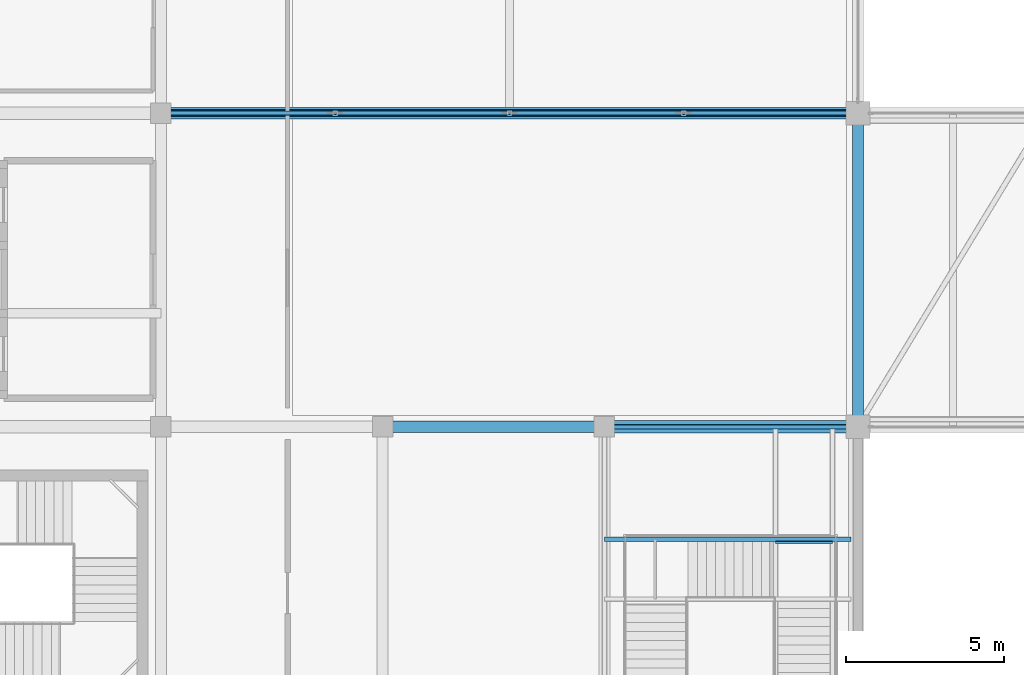
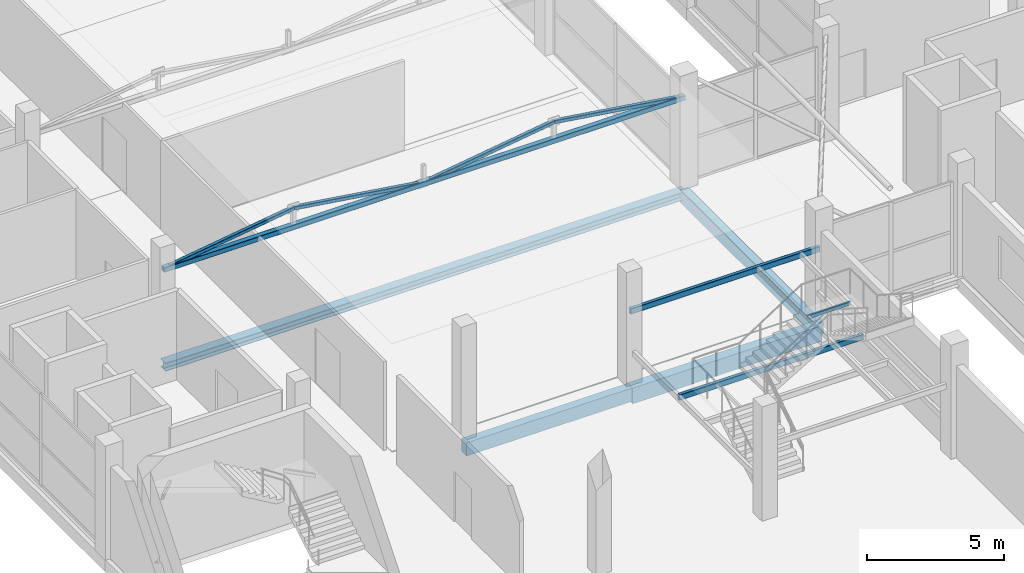
# One storey, part 9 of 67: 7 beams, 5 members.
"""IFC4 building model written with IfcOpenShell, lengths in metres."""

import ifcopenshell
import ifcopenshell.guid

model = None  # the IFC model being written
_history = None  # IfcOwnerHistory: only IFC2X3 demands one
_inside = {}  # id of a spatial element -> (the spatial element, [elements in it])
_under = {}  # id of a project, library or spatial element -> (it, [spatial elements below it])
_declared = {}  # id of a project -> (the project, [libraries it declares])
_typed = {}  # id of a type object -> (the type object, [elements of that type])
_made_of = {}  # id of a material, layer set ... -> (it, [elements and type objects made of it])


def new_model(schema):
    """Start an empty IFC model of exactly this schema.

    Asked for "IFC4X3", IfcOpenShell would pick the latest addendum, in which some entities
    have other attributes; the version numbers below select the first issue.
    IFC2X3 requires an IfcOwnerHistory on every rooted entity: one is made here for all.
    """
    global model, _history
    if schema == "IFC4X3":
        model = ifcopenshell.file(schema_version=(4, 3, 0, 0))
    else:
        model = ifcopenshell.file(schema=schema)
    _inside.clear()
    _under.clear()
    _declared.clear()
    _typed.clear()
    _made_of.clear()
    _history = None
    if model.schema == "IFC2X3":
        org = make("IfcOrganization", Name="unknown")
        user = make(
            "IfcPersonAndOrganization",
            ThePerson=make("IfcPerson", FamilyName="unknown"),
            TheOrganization=org,
        )
        app = make(
            "IfcApplication",
            ApplicationDeveloper=org,
            Version="unknown",
            ApplicationFullName="unknown",
            ApplicationIdentifier="unknown",
        )
        _history = make(
            "IfcOwnerHistory",
            OwningUser=user,
            OwningApplication=app,
            ChangeAction="ADDED",
            CreationDate=0,
        )
    return model


def make(cls, **values):
    """One entity of the class cls with the attributes given. An attribute that is None is left unset."""
    return model.create_entity(
        cls, **{name: value for name, value in values.items() if value is not None}
    )


def rooted(cls, **values):
    """An entity with a GlobalId (a new one), such as an element, a storey or a relation."""
    return make(cls, GlobalId=ifcopenshell.guid.new(), OwnerHistory=_history, **values)


def si_unit(unit_type, name, prefix=None):
    """IfcSIUnit, for example si_unit("LENGTHUNIT", "METRE", prefix="MILLI")."""
    return make("IfcSIUnit", UnitType=unit_type, Prefix=prefix, Name=name)


def assignment(units):
    """IfcUnitAssignment: the units of a project."""
    return None if units is None else make("IfcUnitAssignment", Units=units)


def point(xyz):
    """IfcCartesianPoint."""
    return None if xyz is None else make("IfcCartesianPoint", Coordinates=xyz)


def direction(xyz):
    """IfcDirection."""
    return None if xyz is None else make("IfcDirection", DirectionRatios=xyz)


def frame(location, z_axis=None, x_axis=None):
    """IfcAxis2Placement3D, a coordinate frame: its origin and axes. An axis left out is left unset."""
    return make(
        "IfcAxis2Placement3D",
        Location=point(location),
        Axis=direction(z_axis),
        RefDirection=direction(x_axis),
    )


def frame_2d(location, x_axis=None):
    """IfcAxis2Placement2D, a coordinate frame in the plane: its origin and x axis."""
    return make(
        "IfcAxis2Placement2D", Location=point(location), RefDirection=direction(x_axis)
    )


def origin():
    """The frame at (0, 0, 0) with its axes left unset."""
    return frame((0.0, 0.0, 0.0))


def origin_2d():
    """The frame at (0, 0) in the plane with its x axis left unset."""
    return frame_2d((0.0, 0.0))


def place(relative_to, where):
    """IfcLocalPlacement: puts the frame where relative to a parent placement (None: the world)."""
    return make(
        "IfcLocalPlacement", PlacementRelTo=relative_to, RelativePlacement=where
    )


def context(
    kind, dimensions, precision=None, world=None, true_north=None, identifier=None
):
    """IfcGeometricRepresentationContext, for example the 3D "Model" context."""
    return make(
        "IfcGeometricRepresentationContext",
        ContextIdentifier=identifier,
        ContextType=kind,
        CoordinateSpaceDimension=dimensions,
        Precision=precision,
        WorldCoordinateSystem=world,
        TrueNorth=true_north,
    )


def subcontext(parent, identifier, kind, view, scale=None):
    """IfcGeometricRepresentationSubContext, for example "Body" below "Model"."""
    return make(
        "IfcGeometricRepresentationSubContext",
        ContextIdentifier=identifier,
        ContextType=kind,
        ParentContext=parent,
        TargetScale=scale,
        TargetView=view,
    )


def project(units=None, contexts=None):
    """IfcProject with its units and contexts."""
    return rooted(
        "IfcProject",
        Name="project",
        RepresentationContexts=contexts,
        UnitsInContext=assignment(units),
    )


def spatial(cls, under=None, at=None, **own):
    """A site, building, storey or space (cls), placed at a placement, below another one or the project."""
    s = rooted(cls, ObjectPlacement=at, **own)
    if under is not None:
        _under.setdefault(under.id(), (under, []))[1].append(s)
    return s


def profile(cls, at=None, kind="AREA", **sizes):
    """A parametric profile (cls). Its sizes go by their IFC names, for example OverallWidth=200.0."""
    return make(cls, ProfileType=kind, Position=at, **sizes)


def rectangle(**sizes):
    """IfcRectangleProfileDef."""
    return profile("IfcRectangleProfileDef", **sizes)


def hollow_rectangle(**sizes):
    """IfcRectangleHollowProfileDef."""
    return profile("IfcRectangleHollowProfileDef", **sizes)


def i_section(**sizes):
    """IfcIShapeProfileDef."""
    return profile("IfcIShapeProfileDef", **sizes)


def extrude(swept, where, along, depth):
    """IfcExtrudedAreaSolid: the profile swept, set in the frame where, extruded along a direction by depth."""
    return make(
        "IfcExtrudedAreaSolid",
        SweptArea=swept,
        Position=where,
        ExtrudedDirection=direction(along),
        Depth=depth,
    )


def shape(context_of_items, identifier, shape_type, items):
    """IfcShapeRepresentation: the items that make up one representation, for example the "Body"."""
    return make(
        "IfcShapeRepresentation",
        ContextOfItems=context_of_items,
        RepresentationIdentifier=identifier,
        RepresentationType=shape_type,
        Items=items,
    )


def material(Name=None, Category=None):
    """IfcMaterial."""
    return make("IfcMaterial", Name=Name, Category=Category)


def material_profile(
    of_material, cross_section, Name=None, Category=None, Priority=None
):
    """IfcMaterialProfile: a cross section and its material."""
    return make(
        "IfcMaterialProfile",
        Name=Name,
        Material=of_material,
        Profile=cross_section,
        Priority=Priority,
        Category=Category,
    )


def profile_set(profiles, Name=None, composite=None):
    """IfcMaterialProfileSet."""
    return make(
        "IfcMaterialProfileSet",
        Name=Name,
        MaterialProfiles=profiles,
        CompositeProfile=composite,
    )


def made_of(thing, what):
    """Note that an element or type object is made of a material, layer set ...; save() writes the relation."""
    if what is not None:
        _made_of.setdefault(what.id(), (what, []))[1].append(thing)
    return thing


def type_object(cls, material=None, **own):
    """A type object (cls), such as IfcWallType, which elements share."""
    return made_of(rooted(cls, **own), material)


def element(
    cls,
    number,
    at=None,
    inside=None,
    cuts=None,
    type_object=None,
    material=None,
    context=None,
    identifier="Body",
    shape_type=None,
    held_by="IfcProductDefinitionShape",
    body=None,
    shapes=None,
    **own,
):
    """One element of the class cls, such as IfcWall. Its Tag is "e" and its number.

    at: its placement. inside: the storey or other place that contains it. cuts: it is an
    opening in that element (IfcRelVoidsElement). A single representation is given by context,
    identifier, shape_type and body (its items); several are given by shapes. held_by: the class
    of the entity that holds the representations. save() writes the other relations.
    """
    e = rooted(cls, Tag="e%d" % number, ObjectPlacement=at, **own)
    if body is not None:
        shapes = [shape(context, identifier, shape_type, body)]
    if shapes is not None:
        e.Representation = make(held_by, Representations=shapes)
    if inside is not None:
        _inside.setdefault(inside.id(), (inside, []))[1].append(e)
    if cuts is not None:
        rooted(
            "IfcRelVoidsElement", RelatingBuildingElement=cuts, RelatedOpeningElement=e
        )
    if type_object is not None:
        _typed.setdefault(type_object.id(), (type_object, []))[1].append(e)
    return made_of(e, material)


def aggregate(whole, parts):
    """IfcRelAggregates: a whole, such as a stair, and the parts it consists of."""
    return rooted("IfcRelAggregates", RelatingObject=whole, RelatedObjects=parts)


def save(model, path):
    """Write the relations noted so far, then the file.

    IfcRelAggregates (storeys below a building ...), IfcRelContainedInSpatialStructure (elements
    in a storey), IfcRelDefinesByType, IfcRelAssociatesMaterial and IfcRelDeclares: one each for
    every whole, place, type object, material and project.
    """
    for whole, parts in _under.values():
        aggregate(whole, parts)
    for where, things in _inside.values():
        rooted(
            "IfcRelContainedInSpatialStructure",
            RelatedElements=things,
            RelatingStructure=where,
        )
    for kind, things in _typed.values():
        rooted("IfcRelDefinesByType", RelatedObjects=things, RelatingType=kind)
    for what, things in _made_of.values():
        rooted("IfcRelAssociatesMaterial", RelatedObjects=things, RelatingMaterial=what)
    for by, libraries in _declared.values():
        rooted("IfcRelDeclares", RelatingContext=by, RelatedDefinitions=libraries)
    model.write(path)


model = new_model("IFC4")

# Units and contexts
model_context = context("Model", 3, precision=1e-05, world=origin(), true_north=direction((0.0, 1.0)))
body_context = subcontext(model_context, "Body", "Model", "MODEL_VIEW")
ifc_project = project(units=[si_unit("LENGTHUNIT", "METRE"), si_unit("AREAUNIT", "SQUARE_METRE"), si_unit("VOLUMEUNIT", "CUBIC_METRE"), si_unit("PLANEANGLEUNIT", "RADIAN"), si_unit("MASSUNIT", "GRAM", prefix="KILO")], contexts=[model_context])

# Site, building, storey
site_placement = place(None, origin())
site = spatial("IfcSite", under=ifc_project, at=site_placement, CompositionType="ELEMENT")
building_placement = place(site_placement, origin())
building = spatial("IfcBuilding", under=site, at=building_placement, Name="Sillaruma Civic Art Gallery", CompositionType="ELEMENT")
storey_placement = place(building_placement, frame((0.0, 0.0, 46.919921875)))
storey = spatial("IfcBuildingStorey", under=building, at=storey_placement, Name="L09", CompositionType="ELEMENT", Elevation=46.919921875)

# Beams
ifc_material_1 = material(Name="Concrete H35 (35 MPa)", Category="concrete")
ifc_material_profile_1 = material_profile(ifc_material_1, rectangle(XDim=0.35009765625, YDim=0.60009765625, at=origin_2d()), Name="RCB350x600")
ifc_profile_set_1 = profile_set([ifc_material_profile_1], Name="Concrete H35 (35 MPa)")
beam_type_1 = type_object("IfcBeamType", Name="BM-BEAM-RCB350x600", PredefinedType="BEAM", material=ifc_profile_set_1)
beam_1_placement = place(storey_placement, frame((77.0, 39.60009765625, -0.5498046875), z_axis=(1.0, 0.0, 0.0), x_axis=(0.0, 1.0, 0.0)))
element("IfcBeam", 1, at=beam_1_placement, inside=storey, type_object=beam_type_1, Name="Beam BM-06 (L08:5:H-J)", PredefinedType="BEAM", context=body_context, shape_type="SweptSolid", body=[
    extrude(rectangle(XDim=0.35009765625, YDim=0.60009765625, at=origin_2d()), origin(), (0.0, 0.0, 1.0), 7.0),
])
ifc_material_profile_2 = material_profile(ifc_material_1, rectangle(XDim=0.39990234375, YDim=0.699951171875, at=origin_2d()), Name="RCB400x700")
ifc_profile_set_2 = profile_set([ifc_material_profile_2], Name="Concrete H35 (35 MPa)")
beam_type_2 = type_object("IfcBeamType", Name="BM-BEAM-RCB400x700", PredefinedType="BEAM", material=ifc_profile_set_2)
beam_2_placement = place(storey_placement, frame((84.0, 39.60009765625, -0.599853515625), z_axis=(1.0, 0.0, 0.0), x_axis=(0.0, 1.0, 0.0)))
element("IfcBeam", 2, at=beam_2_placement, inside=storey, type_object=beam_type_2, Name="Beam BM-04 (L08:5:J-K)", PredefinedType="BEAM", context=body_context, shape_type="SweptSolid", body=[
    extrude(rectangle(XDim=0.39990234375, YDim=0.699951171875, at=origin_2d()), origin(), (0.0, 0.0, 1.0), 8.0),
])
ifc_material_2 = material(Name="Structural Steel ASTM A500 Gr.C", Category="steel")
ifc_material_profile_3 = material_profile(ifc_material_2, hollow_rectangle(XDim=0.080078125, YDim=0.159912109375, WallThickness=0.008056640625, InnerFilletRadius=0.008056640625, OuterFilletRadius=0.01611328125, at=origin_2d()), Name="HSS160x80x8")
ifc_profile_set_3 = profile_set([ifc_material_profile_3], Name="Structural Steel ASTM A500 Gr.C")
beam_type_3 = type_object("IfcBeamType", Name="BM-FS-HSS160", PredefinedType="BEAM", material=ifc_profile_set_3)
beam_3_placement = place(storey_placement, frame((89.39990234375, 35.949951171875, 3.135009765625), z_axis=(1.0, 0.0, 0.0), x_axis=(0.0, 1.0, 0.0)))
element("IfcBeam", 3, at=beam_3_placement, inside=storey, type_object=beam_type_3, Name="Feature Stair L2 Spreader (ST-G06)", PredefinedType="BEAM", context=body_context, shape_type="SweptSolid", body=[
    extrude(hollow_rectangle(XDim=0.080078125, YDim=0.159912109375, WallThickness=0.008056640625, InnerFilletRadius=0.008056640625, OuterFilletRadius=0.01611328125, at=origin_2d()), origin(), (0.0, 0.0, 1.0), 1.800048828125),
])
ifc_material_profile_4 = material_profile(ifc_material_2, hollow_rectangle(XDim=0.14990234375, YDim=0.25, WallThickness=0.010009765625, InnerFilletRadius=0.010009765625, OuterFilletRadius=0.02001953125, at=origin_2d()), Name="HSS250x150x10")
ifc_profile_set_4 = profile_set([ifc_material_profile_4], Name="Structural Steel ASTM A500 Gr.C")
beam_type_4 = type_object("IfcBeamType", Name="BM-LND-HSS200", PredefinedType="BEAM", material=ifc_profile_set_4)
beam_4_placement = place(storey_placement, frame((84.0, 36.050048828125, 1.39013671875), z_axis=(1.0, 0.0, 0.0), x_axis=(0.0, 1.0, 0.0)))
element("IfcBeam", 4, at=beam_4_placement, inside=storey, type_object=beam_type_4, Name="Feature Stair L1 Girder (ST-G06-2)", PredefinedType="BEAM", context=body_context, shape_type="SweptSolid", body=[
    extrude(hollow_rectangle(XDim=0.14990234375, YDim=0.25, WallThickness=0.010009765625, InnerFilletRadius=0.010009765625, OuterFilletRadius=0.02001953125, at=origin_2d()), origin(), (0.0, 0.0, 1.0), 7.77490234375),
])
beam_5_placement = place(storey_placement, frame((84.0, 39.60009765625, 3.090087890625), z_axis=(1.0, 0.0, 0.0), x_axis=(0.0, 1.0, 0.0)))
element("IfcBeam", 5, at=beam_5_placement, inside=storey, type_object=beam_type_4, Name="Feature Stair L2 Rail (ST-G06-N)", PredefinedType="BEAM", context=body_context, shape_type="SweptSolid", body=[
    extrude(hollow_rectangle(XDim=0.14990234375, YDim=0.25, WallThickness=0.010009765625, InnerFilletRadius=0.010009765625, OuterFilletRadius=0.02001953125, at=origin_2d()), origin(), (0.0, 0.0, 1.0), 8.0),
])
ifc_material_profile_5 = material_profile(ifc_material_1, rectangle(XDim=0.35009765625, YDim=0.550048828125, at=origin_2d()), Name="RCB350x550")
ifc_profile_set_5 = profile_set([ifc_material_profile_5], Name="Concrete H35 (35 MPa)")
beam_type_5 = type_object("IfcBeamType", Name="BM-SPANDREL-RCB350x550", PredefinedType="SPANDREL", material=ifc_profile_set_5)
beam_6_placement = place(storey_placement, frame((92.0, 39.60009765625, -0.52490234375), z_axis=(0.0, 1.0, 0.0), x_axis=(-1.0, 0.0, 0.0)))
element("IfcBeam", 6, at=beam_6_placement, inside=storey, type_object=beam_type_5, Name="Beam BS-04 (L08:K:5-6)", PredefinedType="SPANDREL", context=body_context, shape_type="SweptSolid", body=[
    extrude(rectangle(XDim=0.35009765625, YDim=0.550048828125, at=origin_2d()), origin(), (0.0, 0.0, 1.0), 9.89990234375),
])
ifc_material_3 = material(Name="Structural Steel ASTM A992 Gr.50", Category="steel")
ifc_material_profile_6 = material_profile(ifc_material_3, i_section(OverallWidth=0.37109375, OverallDepth=0.364013671875, WebThickness=0.01318359375, FlangeThickness=0.021728515625, FilletRadius=0.014892578125, at=origin_2d()), Name="W360x162")
ifc_profile_set_6 = profile_set([ifc_material_profile_6], Name="Structural Steel ASTM A992 Gr.50")
beam_type_6 = type_object("IfcBeamType", Name="BM-TRTOP-W360x162", PredefinedType="BEAM", material=ifc_profile_set_6)
beam_7_placement = place(storey_placement, frame((70.0, 49.5, -0.431884765625), z_axis=(1.0, 0.0, 0.0), x_axis=(0.0, 1.0, 0.0)))
element("IfcBeam", 7, at=beam_7_placement, inside=storey, type_object=beam_type_6, Name="Warren Truss Top Chord TR-L08-1", PredefinedType="BEAM", context=body_context, shape_type="SweptSolid", body=[
    extrude(i_section(OverallWidth=0.37109375, OverallDepth=0.364013671875, WebThickness=0.01318359375, FlangeThickness=0.021728515625, FilletRadius=0.014892578125, at=origin_2d()), origin(), (0.0, 0.0, 1.0), 22.0),
])

# Members
ifc_material_profile_7 = material_profile(ifc_material_2, hollow_rectangle(XDim=0.14990234375, YDim=0.14990234375, WallThickness=0.010009765625, InnerFilletRadius=0.010009765625, OuterFilletRadius=0.02001953125, at=origin_2d()), Name="HSS150x150x10")
ifc_profile_set_7 = profile_set([ifc_material_profile_7], Name="Structural Steel ASTM A500 Gr.C")
member_type_1 = type_object("IfcMemberType", Name="MEM-BRACE-HSS150x150x10", PredefinedType="BRACE", material=ifc_profile_set_7)
for number, where, z_axis, x_axis, name in (
    (8, (70.0, 49.5, 3.860107421875), (0.989384036218, 0.0, 0.145324563914), (0.0, 1.0, 0.0), "Warren Truss Diagonal TR-L09-1-D1"),
    (9, (75.5, 49.5, 4.66796875), (0.989384036218, 0.0, -0.145324563914), (0.0, 1.0, 0.0), "Warren Truss Diagonal TR-L09-1-D2"),
    (10, (81.0, 49.5, 3.860107421875), (0.989384036218, 0.0, 0.145324563914), (0.0, 1.0, 0.0), "Warren Truss Diagonal TR-L09-1-D3"),
    (11, (86.5, 49.5, 4.66796875), (0.989384036218, 0.0, -0.145324563914), (0.0, 1.0, 0.0), "Warren Truss Diagonal TR-L09-1-D4"),
):
    element("IfcMember", number, at=place(storey_placement, frame(where, z_axis=z_axis, x_axis=x_axis)), inside=storey, type_object=member_type_1, Name=name, PredefinedType="BRACE", context=body_context, shape_type="SweptSolid", body=[
        extrude(hollow_rectangle(XDim=0.14990234375, YDim=0.14990234375, WallThickness=0.010009765625, InnerFilletRadius=0.010009765625, OuterFilletRadius=0.02001953125, at=origin_2d()), origin(), (0.0, 0.0, 1.0), 5.55908203125),
    ])
ifc_material_profile_8 = material_profile(ifc_material_2, hollow_rectangle(XDim=0.219970703125, YDim=0.219970703125, WallThickness=0.012451171875, InnerFilletRadius=0.012451171875, OuterFilletRadius=0.02490234375, at=origin_2d()), Name="HSS220x220x12.5")
ifc_profile_set_8 = profile_set([ifc_material_profile_8], Name="Structural Steel ASTM A500 Gr.C")
member_type_2 = type_object("IfcMemberType", Name="MEM-CHORD-HSS220x220x12.5", PredefinedType="CHORD", material=ifc_profile_set_8)
member_placement = place(storey_placement, frame((70.0, 49.5, 3.860107421875), z_axis=(1.0, 0.0, 0.0), x_axis=(0.0, 1.0, 0.0)))
element("IfcMember", 12, at=member_placement, inside=storey, type_object=member_type_2, Name="Warren Truss Bottom Chord TR-L09-1", PredefinedType="CHORD", context=body_context, shape_type="SweptSolid", body=[
    extrude(hollow_rectangle(XDim=0.219970703125, YDim=0.219970703125, WallThickness=0.012451171875, InnerFilletRadius=0.012451171875, OuterFilletRadius=0.02490234375, at=origin_2d()), origin(), (0.0, 0.0, 1.0), 22.0),
])

save(model, "model.ifc")
